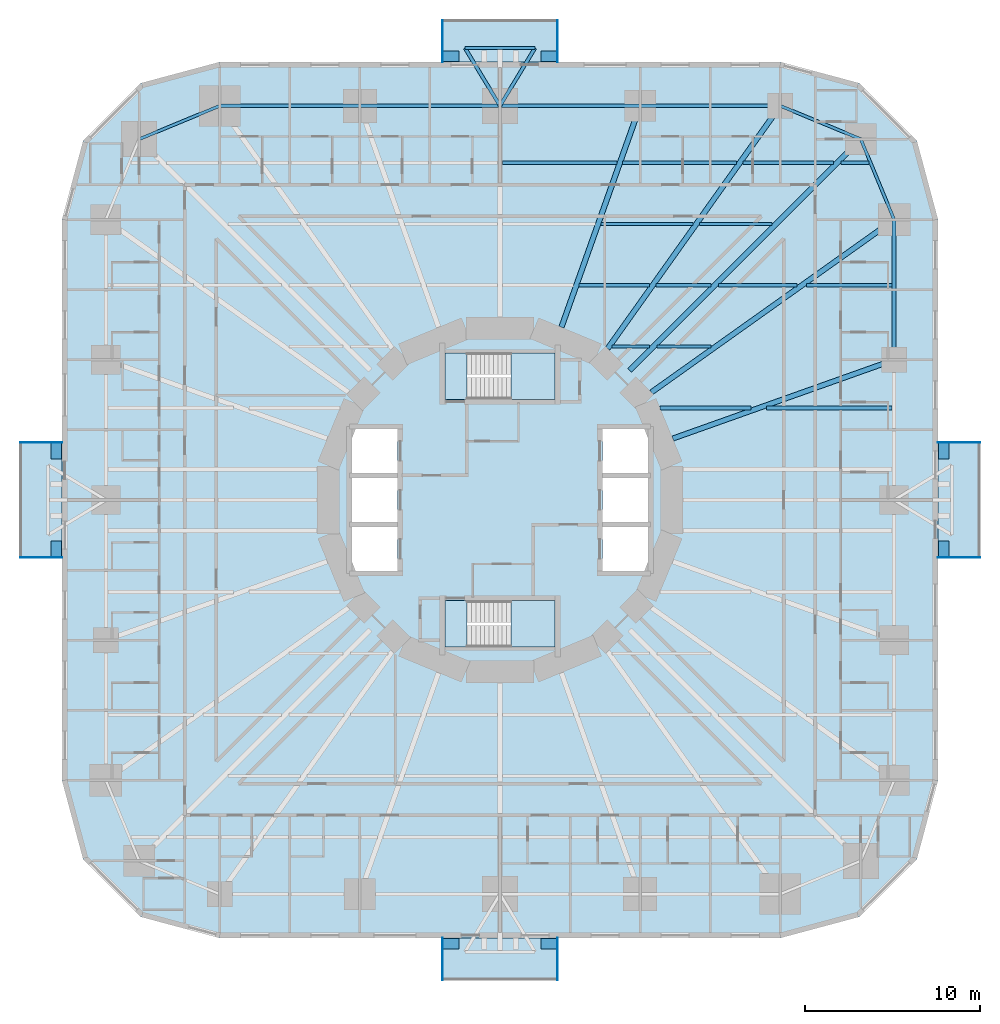
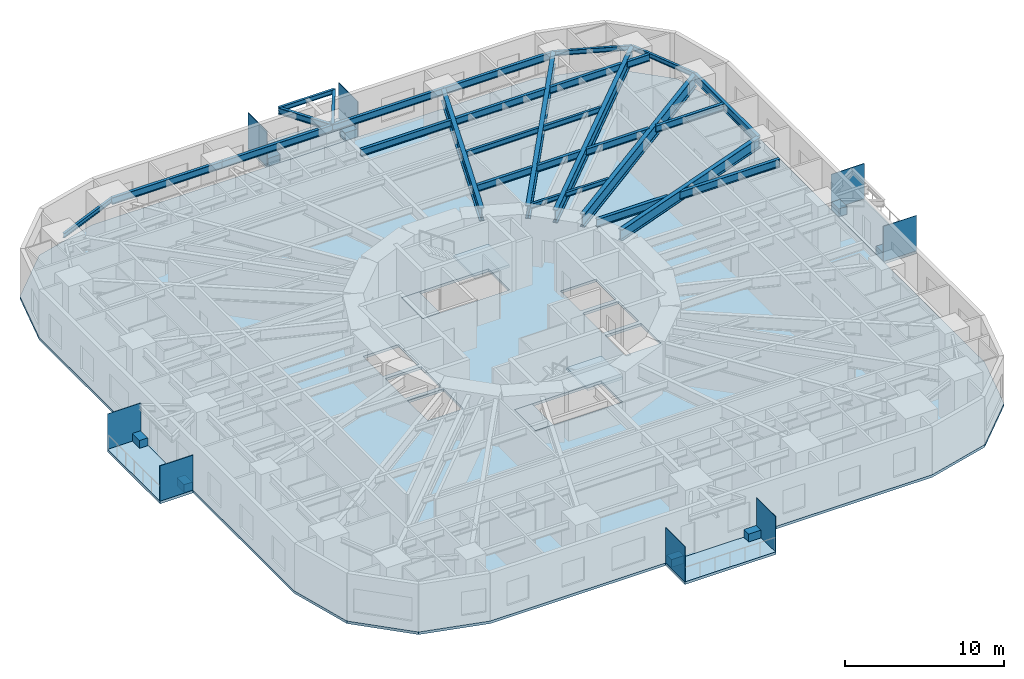
# One storey, part 3 of 14: 30 beams, 16 plates, 9 slabs, 2 elements without a shape of their own.
"""IFC4 building model written with IfcOpenShell, lengths in metres."""

from ifc_helpers import new_model, si_unit, direction, frame, origin, origin_2d, place, context, subcontext, project, spatial, polyline, rectangle, i_section, outline, extrude, material, layer, layer_set, material_profile, profile_set, type_object, element, aggregate, save


model = new_model("IFC4")

# Units and contexts
model_context = context("Model", 3, precision=1e-05, world=origin(), true_north=direction((0.0, 1.0)))
body_context = subcontext(model_context, "Body", "Model", "MODEL_VIEW")
ifc_project = project(units=[si_unit("LENGTHUNIT", "METRE"), si_unit("AREAUNIT", "SQUARE_METRE"), si_unit("VOLUMEUNIT", "CUBIC_METRE"), si_unit("PLANEANGLEUNIT", "RADIAN"), si_unit("MASSUNIT", "GRAM", prefix="KILO")], contexts=[model_context])

# Site, building, storey
site_placement = place(None, origin())
site = spatial("IfcSite", under=ifc_project, at=site_placement, CompositionType="ELEMENT")
building_placement = place(site_placement, origin())
building = spatial("IfcBuilding", under=site, at=building_placement, Name="Nakasero Lantern House", CompositionType="ELEMENT")
storey_placement = place(building_placement, frame((0.0, 0.0, 23.699951171875)))
storey = spatial("IfcBuildingStorey", under=building, at=storey_placement, Name="L05", CompositionType="ELEMENT", Elevation=23.699951171875)

# Beams
ifc_material_1 = material(Name="Steel S355", Category="steel")
ifc_material_profile_1 = material_profile(ifc_material_1, i_section(OverallWidth=0.199462890625, OverallDepth=0.491943359375, WebThickness=0.01806640625, FlangeThickness=0.031982421875, FilletRadius=0.01025390625, at=origin_2d()), Name="UB 457x191x161")
ifc_profile_set_1 = profile_set([ifc_material_profile_1], Name="Steel S355")
beam_type_1 = type_object("IfcBeamType", Name="Balcony splay beam UB 457x191x161", PredefinedType="BEAM", material=ifc_profile_set_1)
for number, where, z_axis, x_axis, name in (
    (1, (0.0, 22.5, 3.404052734375), (-0.518296107317, 0.855201230787, 0.0), (-0.855201230787, -0.518296107317, 0.0), "Balcony splay beam L06 B1-C09A"),
    (2, (0.0, 22.5, 3.404052734375), (0.518296107317, 0.855201230787, 0.0), (-0.855201230787, 0.518296107317, 0.0), "Balcony splay beam L06 B1-C09B"),
):
    element("IfcBeam", number, at=place(storey_placement, frame(where, z_axis=z_axis, x_axis=x_axis)), inside=storey, type_object=beam_type_1, Name=name, PredefinedType="BEAM", context=body_context, shape_type="SweptSolid", body=[
        extrude(i_section(OverallWidth=0.199462890625, OverallDepth=0.491943359375, WebThickness=0.01806640625, FlangeThickness=0.031982421875, FilletRadius=0.01025390625, at=origin_2d()), origin(), (0.0, 0.0, 1.0), 3.85888671875),
    ])
ifc_material_2 = material(Name="Steel S355", Category="steel")
ifc_material_profile_2 = material_profile(ifc_material_2, i_section(OverallWidth=0.17138671875, OverallDepth=0.35498046875, WebThickness=0.00732421875, FlangeThickness=0.011474609375, FilletRadius=0.01025390625, at=origin_2d()), Name="UB 356x171x51")
ifc_profile_set_2 = profile_set([ifc_material_profile_2], Name="Steel S355")
beam_type_2 = type_object("IfcBeamType", Name="Balcony tie beam UB 356x171x51", PredefinedType="BEAM", material=ifc_profile_set_2)
beam_1_placement = place(storey_placement, frame((-2.0, 25.800048828125, 3.47265625), z_axis=(1.0, 0.0, 0.0), x_axis=(0.0, 1.0, 0.0)))
element("IfcBeam", 3, at=beam_1_placement, inside=storey, type_object=beam_type_2, Name="Balcony tie beam L06 B1-C09", PredefinedType="BEAM", context=body_context, shape_type="SweptSolid", body=[
    extrude(i_section(OverallWidth=0.17138671875, OverallDepth=0.35498046875, WebThickness=0.00732421875, FlangeThickness=0.011474609375, FilletRadius=0.01025390625, at=origin_2d()), origin(), (0.0, 0.0, 1.0), 4.0),
])
ifc_material_3 = material(Name="Steel S355", Category="steel")
ifc_material_profile_3 = material_profile(ifc_material_3, i_section(OverallWidth=0.17138671875, OverallDepth=0.35498046875, WebThickness=0.00732421875, FlangeThickness=0.011474609375, FilletRadius=0.01025390625, at=origin_2d()), Name="UB 356x171x51")
ifc_profile_set_3 = profile_set([ifc_material_profile_3], Name="Steel S355")
beam_type_3 = type_object("IfcBeamType", Name="Infill beam UB 356x171x51", PredefinedType="JOIST", material=ifc_profile_set_3)
beam_2_placement = place(storey_placement, frame((6.40625, 8.75, 3.47265625), z_axis=(1.0, 0.0, 0.0), x_axis=(0.0, 1.0, 0.0)))
element("IfcBeam", 4, at=beam_2_placement, inside=storey, type_object=beam_type_3, Name="Infill beam L06 10.3", PredefinedType="JOIST", context=body_context, shape_type="SweptSolid", body=[
    extrude(i_section(OverallWidth=0.17138671875, OverallDepth=0.35498046875, WebThickness=0.00732421875, FlangeThickness=0.011474609375, FilletRadius=0.01025390625, at=origin_2d()), origin(), (0.0, 0.0, 1.0), 2.131591796875),
])
beam_3_placement = place(storey_placement, frame((8.962158203125, 8.75, 3.47265625), z_axis=(1.0, 0.0, 0.0), x_axis=(0.0, 1.0, 0.0)))
element("IfcBeam", 5, at=beam_3_placement, inside=storey, type_object=beam_type_3, Name="Infill beam L06 10.4", PredefinedType="JOIST", context=body_context, shape_type="SweptSolid", body=[
    extrude(i_section(OverallWidth=0.17138671875, OverallDepth=0.35498046875, WebThickness=0.00732421875, FlangeThickness=0.011474609375, FilletRadius=0.01025390625, at=origin_2d()), origin(), (0.0, 0.0, 1.0), 3.083740234375),
])
ifc_material_4 = material(Name="Steel S355", Category="steel")
ifc_material_profile_4 = material_profile(ifc_material_4, i_section(OverallWidth=0.177978515625, OverallDepth=0.406494140625, WebThickness=0.0078125, FlangeThickness=0.0126953125, FilletRadius=0.01025390625, at=origin_2d()), Name="UB 406x178x60")
ifc_profile_set_4 = profile_set([ifc_material_profile_4], Name="Steel S355")
beam_type_4 = type_object("IfcBeamType", Name="Infill beam UB 406x178x60", PredefinedType="JOIST", material=ifc_profile_set_4)
beam_4_placement = place(storey_placement, frame((5.75927734375, 15.75, 3.44677734375), z_axis=(1.0, 0.0, 0.0), x_axis=(0.0, 1.0, 0.0)))
element("IfcBeam", 6, at=beam_4_placement, inside=storey, type_object=beam_type_4, Name="Infill beam L06 12.5", PredefinedType="JOIST", context=body_context, shape_type="SweptSolid", body=[
    extrude(i_section(OverallWidth=0.177978515625, OverallDepth=0.406494140625, WebThickness=0.0078125, FlangeThickness=0.0126953125, FilletRadius=0.01025390625, at=origin_2d()), origin(), (0.0, 0.0, 1.0), 5.256591796875),
])
beam_5_placement = place(storey_placement, frame((11.384033203125, 15.75, 3.44677734375), z_axis=(1.0, 0.0, 0.0), x_axis=(0.0, 1.0, 0.0)))
element("IfcBeam", 7, at=beam_5_placement, inside=storey, type_object=beam_type_4, Name="Infill beam L06 12.6", PredefinedType="JOIST", context=body_context, shape_type="SweptSolid", body=[
    extrude(i_section(OverallWidth=0.177978515625, OverallDepth=0.406494140625, WebThickness=0.0078125, FlangeThickness=0.0126953125, FilletRadius=0.01025390625, at=origin_2d()), origin(), (0.0, 0.0, 1.0), 4.15380859375),
])
ifc_material_5 = material(Name="Steel S355", Category="steel")
ifc_material_profile_5 = material_profile(ifc_material_5, i_section(OverallWidth=0.208740234375, OverallDepth=0.5283203125, WebThickness=0.009521484375, FlangeThickness=0.01318359375, FilletRadius=0.0126953125, at=origin_2d()), Name="UB 533x210x82")
ifc_profile_set_5 = profile_set([ifc_material_profile_5], Name="Steel S355")
beam_type_5 = type_object("IfcBeamType", Name="Infill beam UB 533x210x82", PredefinedType="JOIST", material=ifc_profile_set_5)
beam_6_placement = place(storey_placement, frame((4.5146484375, 12.25, 3.385986328125), z_axis=(1.0, 0.0, 0.0), x_axis=(0.0, 1.0, 0.0)))
element("IfcBeam", 8, at=beam_6_placement, inside=storey, type_object=beam_type_5, Name="Infill beam L06 11.7", PredefinedType="JOIST", context=body_context, shape_type="SweptSolid", body=[
    extrude(i_section(OverallWidth=0.208740234375, OverallDepth=0.5283203125, WebThickness=0.009521484375, FlangeThickness=0.01318359375, FilletRadius=0.0126953125, at=origin_2d()), origin(), (0.0, 0.0, 1.0), 4.012451171875),
])
beam_7_placement = place(storey_placement, frame((8.895263671875, 12.25, 3.385986328125), z_axis=(1.0, 0.0, 0.0), x_axis=(0.0, 1.0, 0.0)))
element("IfcBeam", 9, at=beam_7_placement, inside=storey, type_object=beam_type_5, Name="Infill beam L06 11.8", PredefinedType="JOIST", context=body_context, shape_type="SweptSolid", body=[
    extrude(i_section(OverallWidth=0.208740234375, OverallDepth=0.5283203125, WebThickness=0.009521484375, FlangeThickness=0.01318359375, FilletRadius=0.0126953125, at=origin_2d()), origin(), (0.0, 0.0, 1.0), 3.142578125),
])
beam_8_placement = place(storey_placement, frame((12.462158203125, 12.25, 3.385986328125), z_axis=(1.0, 0.0, 0.0), x_axis=(0.0, 1.0, 0.0)))
element("IfcBeam", 10, at=beam_8_placement, inside=storey, type_object=beam_type_5, Name="Infill beam L06 11.9", PredefinedType="JOIST", context=body_context, shape_type="SweptSolid", body=[
    extrude(i_section(OverallWidth=0.208740234375, OverallDepth=0.5283203125, WebThickness=0.009521484375, FlangeThickness=0.01318359375, FilletRadius=0.0126953125, at=origin_2d()), origin(), (0.0, 0.0, 1.0), 4.505615234375),
])
beam_9_placement = place(storey_placement, frame((17.4853515625, 12.25, 3.385986328125), z_axis=(1.0, 0.0, 0.0), x_axis=(0.0, 1.0, 0.0)))
element("IfcBeam", 11, at=beam_9_placement, inside=storey, type_object=beam_type_5, Name="Infill beam L06 11.10", PredefinedType="JOIST", context=body_context, shape_type="SweptSolid", body=[
    extrude(i_section(OverallWidth=0.208740234375, OverallDepth=0.5283203125, WebThickness=0.009521484375, FlangeThickness=0.01318359375, FilletRadius=0.0126953125, at=origin_2d()), origin(), (0.0, 0.0, 1.0), 4.900146484375),
])
beam_10_placement = place(storey_placement, frame((0.146240234375, 19.25, 3.385986328125), z_axis=(1.0, 0.0, 0.0), x_axis=(0.0, 1.0, 0.0)))
element("IfcBeam", 12, at=beam_10_placement, inside=storey, type_object=beam_type_5, Name="Infill beam L06 13.5", PredefinedType="JOIST", context=body_context, shape_type="SweptSolid", body=[
    extrude(i_section(OverallWidth=0.208740234375, OverallDepth=0.5283203125, WebThickness=0.009521484375, FlangeThickness=0.01318359375, FilletRadius=0.0126953125, at=origin_2d()), origin(), (0.0, 0.0, 1.0), 6.5390625),
])
beam_11_placement = place(storey_placement, frame((7.003662109375, 19.25, 3.385986328125), z_axis=(1.0, 0.0, 0.0), x_axis=(0.0, 1.0, 0.0)))
element("IfcBeam", 13, at=beam_11_placement, inside=storey, type_object=beam_type_5, Name="Infill beam L06 13.6", PredefinedType="JOIST", context=body_context, shape_type="SweptSolid", body=[
    extrude(i_section(OverallWidth=0.208740234375, OverallDepth=0.5283203125, WebThickness=0.009521484375, FlangeThickness=0.01318359375, FilletRadius=0.0126953125, at=origin_2d()), origin(), (0.0, 0.0, 1.0), 6.501220703125),
])
beam_12_placement = place(storey_placement, frame((13.873046875, 19.25, 3.385986328125), z_axis=(1.0, 0.0, 0.0), x_axis=(0.0, 1.0, 0.0)))
element("IfcBeam", 14, at=beam_12_placement, inside=storey, type_object=beam_type_5, Name="Infill beam L06 13.7", PredefinedType="JOIST", context=body_context, shape_type="SweptSolid", body=[
    extrude(i_section(OverallWidth=0.208740234375, OverallDepth=0.5283203125, WebThickness=0.009521484375, FlangeThickness=0.01318359375, FilletRadius=0.0126953125, at=origin_2d()), origin(), (0.0, 0.0, 1.0), 5.164794921875),
])
beam_13_placement = place(storey_placement, frame((19.462158203125, 19.25, 3.385986328125), z_axis=(1.0, 0.0, 0.0), x_axis=(0.0, 1.0, 0.0)))
element("IfcBeam", 15, at=beam_13_placement, inside=storey, type_object=beam_type_5, Name="Infill beam L06 13.8", PredefinedType="JOIST", context=body_context, shape_type="SweptSolid", body=[
    extrude(i_section(OverallWidth=0.208740234375, OverallDepth=0.5283203125, WebThickness=0.009521484375, FlangeThickness=0.01318359375, FilletRadius=0.0126953125, at=origin_2d()), origin(), (0.0, 0.0, 1.0), 1.598876953125),
])
ifc_material_6 = material(Name="Steel S355", Category="steel")
ifc_material_profile_6 = material_profile(ifc_material_6, i_section(OverallWidth=0.2275390625, OverallDepth=0.6025390625, WebThickness=0.010498046875, FlangeThickness=0.014892578125, FilletRadius=0.0126953125, at=origin_2d()), Name="UB 610x229x101")
ifc_profile_set_6 = profile_set([ifc_material_profile_6], Name="Steel S355")
beam_type_6 = type_object("IfcBeamType", Name="Infill beam UB 610x229x101", PredefinedType="JOIST", material=ifc_profile_set_6)
beam_14_placement = place(storey_placement, frame((9.144775390625, 5.25, 3.3486328125), z_axis=(1.0, 0.0, 0.0), x_axis=(0.0, 1.0, 0.0)))
element("IfcBeam", 16, at=beam_14_placement, inside=storey, type_object=beam_type_6, Name="Infill beam L06 09.3", PredefinedType="JOIST", context=body_context, shape_type="SweptSolid", body=[
    extrude(i_section(OverallWidth=0.2275390625, OverallDepth=0.6025390625, WebThickness=0.010498046875, FlangeThickness=0.014892578125, FilletRadius=0.0126953125, at=origin_2d()), origin(), (0.0, 0.0, 1.0), 5.184326171875),
])
beam_15_placement = place(storey_placement, frame((15.2021484375, 5.25, 3.3486328125), z_axis=(1.0, 0.0, 0.0), x_axis=(0.0, 1.0, 0.0)))
element("IfcBeam", 17, at=beam_15_placement, inside=storey, type_object=beam_type_6, Name="Infill beam L06 09.4", PredefinedType="JOIST", context=body_context, shape_type="SweptSolid", body=[
    extrude(i_section(OverallWidth=0.2275390625, OverallDepth=0.6025390625, WebThickness=0.010498046875, FlangeThickness=0.014892578125, FilletRadius=0.0126953125, at=origin_2d()), origin(), (0.0, 0.0, 1.0), 7.183349609375),
])
ifc_material_7 = material(Name="Steel S355", Category="steel")
ifc_material_profile_7 = material_profile(ifc_material_7, i_section(OverallWidth=0.300048828125, OverallDepth=0.97021484375, WebThickness=0.01611328125, FlangeThickness=0.02099609375, FilletRadius=0.030029296875, at=origin_2d()), Name="UB 1016x305x222")
ifc_profile_set_7 = profile_set([ifc_material_profile_7], Name="Steel S355")
beam_type_7 = type_object("IfcBeamType", Name="Primary beam UB 1016x305x222, span 12 to 15 m", PredefinedType="BEAM", material=ifc_profile_set_7)
beam_16_placement = place(storey_placement, frame((8.0, 22.5, 3.164794921875), z_axis=(-0.335010745293, -0.942214307118, 0.0), x_axis=(0.942214307118, -0.335010745293, 0.0)))
element("IfcBeam", 18, at=beam_16_placement, inside=storey, type_object=beam_type_7, Name="Primary beam L06 B1-C08", PredefinedType="BEAM", context=body_context, shape_type="SweptSolid", body=[
    extrude(i_section(OverallWidth=0.300048828125, OverallDepth=0.97021484375, WebThickness=0.01611328125, FlangeThickness=0.02099609375, FilletRadius=0.030029296875, at=origin_2d()), origin(), (0.0, 0.0, 1.0), 13.408447265625),
])
ifc_material_8 = material(Name="Steel S355", Category="steel")
ifc_material_profile_8 = material_profile(ifc_material_8, i_section(OverallWidth=0.300048828125, OverallDepth=0.989990234375, WebThickness=0.0166015625, FlangeThickness=0.031005859375, FilletRadius=0.030029296875, at=origin_2d()), Name="UB 1016x305x272")
ifc_profile_set_8 = profile_set([ifc_material_profile_8], Name="Steel S355")
beam_type_8 = type_object("IfcBeamType", Name="Primary beam UB 1016x305x272, span over 15 m", PredefinedType="BEAM", material=ifc_profile_set_8)
beam_17_placement = place(storey_placement, frame((22.5, 16.0, 3.155029296875), z_axis=(-0.814952159915, -0.579528236629, 0.0), x_axis=(0.579528236629, -0.814952159915, 0.0)))
element("IfcBeam", 19, at=beam_17_placement, inside=storey, type_object=beam_type_8, Name="Primary beam L06 B1-C05", PredefinedType="BEAM", context=body_context, shape_type="SweptSolid", body=[
    extrude(i_section(OverallWidth=0.300048828125, OverallDepth=0.989990234375, WebThickness=0.0166015625, FlangeThickness=0.031005859375, FilletRadius=0.030029296875, at=origin_2d()), origin(), (0.0, 0.0, 1.0), 17.003173828125),
])
beam_18_placement = place(storey_placement, frame((20.59619140625, 20.59619140625, 3.155029296875), z_axis=(-0.707106781187, -0.707106781187, 0.0), x_axis=(0.707106781187, -0.707106781187, 0.0)))
element("IfcBeam", 20, at=beam_18_placement, inside=storey, type_object=beam_type_8, Name="Primary beam L06 B1-C06", PredefinedType="BEAM", context=body_context, shape_type="SweptSolid", body=[
    extrude(i_section(OverallWidth=0.300048828125, OverallDepth=0.989990234375, WebThickness=0.0166015625, FlangeThickness=0.031005859375, FilletRadius=0.030029296875, at=origin_2d()), origin(), (0.0, 0.0, 1.0), 18.669677734375),
])
ifc_material_9 = material(Name="Steel S355", Category="steel")
ifc_material_profile_9 = material_profile(ifc_material_9, i_section(OverallWidth=0.300048828125, OverallDepth=1.0, WebThickness=0.01904296875, FlangeThickness=0.035888671875, FilletRadius=0.030029296875, at=origin_2d()), Name="UB 1016x305x314")
ifc_profile_set_9 = profile_set([ifc_material_profile_9], Name="Steel S355")
beam_type_9 = type_object("IfcBeamType", Name="Primary beam UB 1016x305x314, span over 15 m", PredefinedType="BEAM", material=ifc_profile_set_9)
beam_19_placement = place(storey_placement, frame((16.0, 22.5, 3.150146484375), z_axis=(-0.579528236629, -0.814952159915, 0.0), x_axis=(0.814952159915, -0.579528236629, 0.0)))
element("IfcBeam", 21, at=beam_19_placement, inside=storey, type_object=beam_type_9, Name="Primary beam L06 B1-C07", PredefinedType="BEAM", context=body_context, shape_type="SweptSolid", body=[
    extrude(i_section(OverallWidth=0.300048828125, OverallDepth=1.0, WebThickness=0.01904296875, FlangeThickness=0.035888671875, FilletRadius=0.030029296875, at=origin_2d()), origin(), (0.0, 0.0, 1.0), 17.003173828125),
])
ifc_material_10 = material(Name="Steel S355", Category="steel")
ifc_material_profile_10 = material_profile(ifc_material_10, i_section(OverallWidth=0.29248046875, OverallDepth=0.8408203125, WebThickness=0.0146484375, FlangeThickness=0.02685546875, FilletRadius=0.017822265625, at=origin_2d()), Name="UB 838x292x194")
ifc_profile_set_10 = profile_set([ifc_material_profile_10], Name="Steel S355")
beam_type_10 = type_object("IfcBeamType", Name="Primary beam UB 838x292x194, span 12 to 15 m", PredefinedType="BEAM", material=ifc_profile_set_10)
beam_20_placement = place(storey_placement, frame((22.5, 8.0, 3.229736328125), z_axis=(-0.942214307118, -0.335010745293, 0.0), x_axis=(0.335010745293, -0.942214307118, 0.0)))
element("IfcBeam", 22, at=beam_20_placement, inside=storey, type_object=beam_type_10, Name="Primary beam L06 B1-C04", PredefinedType="BEAM", context=body_context, shape_type="SweptSolid", body=[
    extrude(i_section(OverallWidth=0.29248046875, OverallDepth=0.8408203125, WebThickness=0.0146484375, FlangeThickness=0.02685546875, FilletRadius=0.017822265625, at=origin_2d()), origin(), (0.0, 0.0, 1.0), 13.408447265625),
])
ifc_material_11 = material(Name="Steel S355", Category="steel")
ifc_material_profile_11 = material_profile(ifc_material_11, i_section(OverallWidth=0.17138671875, OverallDepth=0.35498046875, WebThickness=0.00732421875, FlangeThickness=0.011474609375, FilletRadius=0.01025390625, at=origin_2d()), Name="UB 356x171x51")
ifc_profile_set_11 = profile_set([ifc_material_profile_11], Name="Steel S355")
beam_type_11 = type_object("IfcBeamType", Name="Ring beam UB 356x171x51", PredefinedType="BEAM", material=ifc_profile_set_11)
for number, where, z_axis, x_axis, name in (
    (23, (22.5, 16.0, 3.47265625), (-0.382684080569, 0.923879264016, 0.0), (-0.923879264016, -0.382684080569, 0.0), "Ring beam L06 B1-C05"),
    (24, (20.59619140625, 20.59619140625, 3.47265625), (-0.923879264016, 0.382684080569, 0.0), (-0.382684080569, -0.923879264016, 0.0), "Ring beam L06 B1-C06"),
    (25, (-16.0, 22.5, 3.47265625), (-0.923879264016, -0.382684080569, 0.0), (0.382684080569, -0.923879264016, 0.0), "Ring beam L06 B1-C11"),
):
    element("IfcBeam", number, at=place(storey_placement, frame(where, z_axis=z_axis, x_axis=x_axis)), inside=storey, type_object=beam_type_11, Name=name, PredefinedType="BEAM", context=body_context, shape_type="SweptSolid", body=[
        extrude(i_section(OverallWidth=0.17138671875, OverallDepth=0.35498046875, WebThickness=0.00732421875, FlangeThickness=0.011474609375, FilletRadius=0.01025390625, at=origin_2d()), origin(), (0.0, 0.0, 1.0), 4.974853515625),
    ])
ifc_material_12 = material(Name="Steel S355", Category="steel")
ifc_material_profile_12 = material_profile(ifc_material_12, i_section(OverallWidth=0.2099609375, OverallDepth=0.53662109375, WebThickness=0.0107421875, FlangeThickness=0.017333984375, FilletRadius=0.0126953125, at=origin_2d()), Name="UB 533x210x101")
ifc_profile_set_12 = profile_set([ifc_material_profile_12], Name="Steel S355")
beam_type_12 = type_object("IfcBeamType", Name="Ring beam UB 533x210x101", PredefinedType="BEAM", material=ifc_profile_set_12)
for number, where, z_axis, x_axis, name in (
    (26, (16.0, 22.5, 3.381591796875), (-1.0, 0.0, 0.0), (0.0, -1.0, 0.0), "Ring beam L06 B1-C07"),
    (27, (8.0, 22.5, 3.381591796875), (-1.0, 0.0, 0.0), (0.0, -1.0, 0.0), "Ring beam L06 B1-C08"),
    (28, (0.0, 22.5, 3.381591796875), (-1.0, 0.0, 0.0), (0.0, -1.0, 0.0), "Ring beam L06 B1-C09"),
    (29, (-8.0, 22.5, 3.381591796875), (-1.0, 0.0, 0.0), (0.0, -1.0, 0.0), "Ring beam L06 B1-C10"),
):
    element("IfcBeam", number, at=place(storey_placement, frame(where, z_axis=z_axis, x_axis=x_axis)), inside=storey, type_object=beam_type_12, Name=name, PredefinedType="BEAM", context=body_context, shape_type="SweptSolid", body=[
        extrude(i_section(OverallWidth=0.2099609375, OverallDepth=0.53662109375, WebThickness=0.0107421875, FlangeThickness=0.017333984375, FilletRadius=0.0126953125, at=origin_2d()), origin(), (0.0, 0.0, 1.0), 8.0),
    ])
ifc_material_13 = material(Name="Steel S355", Category="steel")
ifc_material_profile_13 = material_profile(ifc_material_13, i_section(OverallWidth=0.22900390625, OverallDepth=0.6123046875, WebThickness=0.011962890625, FlangeThickness=0.01953125, FilletRadius=0.0126953125, at=origin_2d()), Name="UB 610x229x125")
ifc_profile_set_13 = profile_set([ifc_material_profile_13], Name="Steel S355")
beam_type_13 = type_object("IfcBeamType", Name="Ring beam UB 610x229x125", PredefinedType="BEAM", material=ifc_profile_set_13)
beam_21_placement = place(storey_placement, frame((22.5, 8.0, 3.343994140625), z_axis=(0.0, 1.0, 0.0), x_axis=(-1.0, 0.0, 0.0)))
element("IfcBeam", 30, at=beam_21_placement, inside=storey, type_object=beam_type_13, Name="Ring beam L06 B1-C04", PredefinedType="BEAM", context=body_context, shape_type="SweptSolid", body=[
    extrude(i_section(OverallWidth=0.22900390625, OverallDepth=0.6123046875, WebThickness=0.011962890625, FlangeThickness=0.01953125, FilletRadius=0.0126953125, at=origin_2d()), origin(), (0.0, 0.0, 1.0), 8.0),
])

# Plates
ifc_material_14 = material(Name="Aluminium 6063-T6", Category="aluminium")
ifc_layer_1 = layer(ifc_material_14, 0.60009765625)
ifc_layer_set_1 = layer_set([ifc_layer_1], Name="Balcony planter 600x900")
plate_type_1 = type_object("IfcPlateType", Name="Balcony planter 600x900", PredefinedType="USERDEFINED", material=ifc_layer_set_1)
for number, where, z_axis, x_axis, name in (
    (31, (25.320068359375, -2.7900390625, 0.0), (0.0, 0.0, 1.0), (1.0, 0.0, 0.0), "Balcony PLANTER L05 BAL0A"),
    (32, (25.320068359375, 2.7900390625, 0.0), (0.0, 0.0, 1.0), (1.0, 0.0, 0.0), "Balcony PLANTER L05 BAL0B"),
    (33, (2.7900390625, 25.320068359375, 0.0), (0.0, 0.0, 1.0), (0.0, 1.0, 0.0), "Balcony PLANTER L05 BAL1A"),
    (34, (-2.7900390625, 25.320068359375, 0.0), (0.0, 0.0, 1.0), (0.0, 1.0, 0.0), "Balcony PLANTER L05 BAL1B"),
    (35, (-25.320068359375, 2.7900390625, 0.0), (0.0, 0.0, 1.0), (-1.0, 0.0, 0.0), "Balcony PLANTER L05 BAL2A"),
    (36, (-25.320068359375, -2.7900390625, 0.0), (0.0, 0.0, 1.0), (-1.0, 0.0, 0.0), "Balcony PLANTER L05 BAL2B"),
    (37, (-2.7900390625, -25.320068359375, 0.0), (0.0, 0.0, 1.0), (0.0, -1.0, 0.0), "Balcony PLANTER L05 BAL3A"),
    (38, (2.7900390625, -25.320068359375, 0.0), (0.0, 0.0, 1.0), (0.0, -1.0, 0.0), "Balcony PLANTER L05 BAL3B"),
):
    element("IfcPlate", number, at=place(storey_placement, frame(where, z_axis=z_axis, x_axis=x_axis)), inside=storey, type_object=plate_type_1, Name=name, ObjectType="PLANTER", PredefinedType="USERDEFINED", context=body_context, shape_type="SweptSolid", body=[
        extrude(rectangle(XDim=0.60009765625, YDim=0.89990234375, at=origin_2d()), origin(), (0.0, 0.0, 1.0), 0.60009765625),
    ])
ifc_material_15 = material(Name="Aluminium 6063-T6", Category="aluminium")
ifc_layer_2 = layer(ifc_material_15, 0.0400390625)
ifc_layer_set_2 = layer_set([ifc_layer_2], Name="Balcony screen 2400x2700")
plate_type_2 = type_object("IfcPlateType", Name="Balcony screen 2400x2700", PredefinedType="SHEET", material=ifc_layer_set_2)
for number, where, z_axis, x_axis, name in (
    (39, (26.199951171875, -3.280029296875, 0.0), (0.0, 0.0, 1.0), (1.0, 0.0, 0.0), "Balcony SCREEN L05 BAL0A"),
    (40, (26.199951171875, 3.280029296875, 0.0), (0.0, 0.0, 1.0), (1.0, 0.0, 0.0), "Balcony SCREEN L05 BAL0B"),
    (41, (3.280029296875, 26.199951171875, 0.0), (0.0, 0.0, 1.0), (0.0, 1.0, 0.0), "Balcony SCREEN L05 BAL1A"),
    (42, (-3.280029296875, 26.199951171875, 0.0), (0.0, 0.0, 1.0), (0.0, 1.0, 0.0), "Balcony SCREEN L05 BAL1B"),
    (43, (-26.199951171875, 3.280029296875, 0.0), (0.0, 0.0, 1.0), (-1.0, 0.0, 0.0), "Balcony SCREEN L05 BAL2A"),
    (44, (-26.199951171875, -3.280029296875, 0.0), (0.0, 0.0, 1.0), (-1.0, 0.0, 0.0), "Balcony SCREEN L05 BAL2B"),
    (45, (-3.280029296875, -26.199951171875, 0.0), (0.0, 0.0, 1.0), (0.0, -1.0, 0.0), "Balcony SCREEN L05 BAL3A"),
    (46, (3.280029296875, -26.199951171875, 0.0), (0.0, 0.0, 1.0), (0.0, -1.0, 0.0), "Balcony SCREEN L05 BAL3B"),
):
    element("IfcPlate", number, at=place(storey_placement, frame(where, z_axis=z_axis, x_axis=x_axis)), inside=storey, type_object=plate_type_2, Name=name, PredefinedType="SHEET", context=body_context, shape_type="SweptSolid", body=[
        extrude(rectangle(XDim=2.39990234375, YDim=0.0400390625, at=origin_2d()), origin(), (0.0, 0.0, 1.0), 2.699951171875),
    ])

# Slabs
ifc_material_16 = material(Name="Concrete C35/45", Category="concrete")
ifc_layer_3 = layer(ifc_material_16, 0.199951171875)
ifc_layer_set_3 = layer_set([ifc_layer_3], Name="Balcony slab 200")
slab_type_1 = type_object("IfcSlabType", Name="Balcony slab 200", PredefinedType="USERDEFINED", material=ifc_layer_set_3)
slab_1_placement = place(storey_placement, frame((0.0, 0.0, -0.199951171875)))
element("IfcSlab", 47, at=slab_1_placement, inside=storey, type_object=slab_type_1, Name="Balcony L05 BAL0", ObjectType="BALCONY", PredefinedType="USERDEFINED", context=body_context, shape_type="SweptSolid", body=[
    extrude(outline(polyline([(25.0, -3.300048828125), (27.39990234375, -3.300048828125), (27.39990234375, 3.300048828125), (25.0, 3.300048828125), (25.0, -3.300048828125)])), origin(), (0.0, 0.0, 1.0), 0.199951171875),
])
slab_2_placement = place(storey_placement, frame((0.0, 0.0, -0.199951171875)))
element("IfcSlab", 48, at=slab_2_placement, inside=storey, type_object=slab_type_1, Name="Balcony L05 BAL1", ObjectType="BALCONY", PredefinedType="USERDEFINED", context=body_context, shape_type="SweptSolid", body=[
    extrude(outline(polyline([(3.300048828125, 25.0), (3.300048828125, 27.39990234375), (-3.300048828125, 27.39990234375), (-3.300048828125, 25.0), (3.300048828125, 25.0)])), origin(), (0.0, 0.0, 1.0), 0.199951171875),
])
slab_3_placement = place(storey_placement, frame((0.0, 0.0, -0.199951171875)))
element("IfcSlab", 49, at=slab_3_placement, inside=storey, type_object=slab_type_1, Name="Balcony L05 BAL2", ObjectType="BALCONY", PredefinedType="USERDEFINED", context=body_context, shape_type="SweptSolid", body=[
    extrude(outline(polyline([(-25.0, 3.300048828125), (-27.39990234375, 3.300048828125), (-27.39990234375, -3.300048828125), (-25.0, -3.300048828125), (-25.0, 3.300048828125)])), origin(), (0.0, 0.0, 1.0), 0.199951171875),
])
slab_4_placement = place(storey_placement, frame((0.0, 0.0, -0.199951171875)))
element("IfcSlab", 50, at=slab_4_placement, inside=storey, type_object=slab_type_1, Name="Balcony L05 BAL3", ObjectType="BALCONY", PredefinedType="USERDEFINED", context=body_context, shape_type="SweptSolid", body=[
    extrude(outline(polyline([(-3.300048828125, -25.0), (-3.300048828125, -27.39990234375), (3.300048828125, -27.39990234375), (3.300048828125, -25.0), (-3.300048828125, -25.0)])), origin(), (0.0, 0.0, 1.0), 0.199951171875),
])
ifc_material_17 = material(Name="Concrete C35/45", Category="concrete")
ifc_layer_4 = layer(ifc_material_17, 0.199951171875)
ifc_layer_set_4 = layer_set([ifc_layer_4], Name="Composite floor slab 200")
slab_type_2 = type_object("IfcSlabType", Name="Composite floor slab 200", PredefinedType="FLOOR", material=ifc_layer_set_4)
slab_5_placement = place(storey_placement, frame((0.0, 0.0, -0.199951171875)))
element("IfcSlab", 51, at=slab_5_placement, inside=storey, type_object=slab_type_2, Name="Floor slab L05", PredefinedType="FLOOR", context=body_context, shape_type="SweptSolid", body=[
    extrude(outline(polyline([(25.0, 16.0), (23.794189453125, 20.5), (20.5, 23.794189453125), (16.0, 25.0), (-16.0, 25.0), (-20.5, 23.794189453125), (-23.794189453125, 20.5), (-25.0, 16.0), (-25.0, -16.0), (-23.794189453125, -20.5), (-20.5, -23.794189453125), (-16.0, -25.0), (16.0, -25.0), (20.5, -23.794189453125), (23.794189453125, -20.5), (25.0, -16.0), (25.0, 16.0)]), holes=[polyline([(-8.449951171875, -4.050048828125), (-5.85009765625, -4.050048828125), (-5.85009765625, -1.550048828125), (-8.449951171875, -1.550048828125), (-8.449951171875, -4.050048828125)]), polyline([(-8.449951171875, -1.25), (-5.85009765625, -1.25), (-5.85009765625, 1.25), (-8.449951171875, 1.25), (-8.449951171875, -1.25)]), polyline([(-8.449951171875, 1.550048828125), (-5.85009765625, 1.550048828125), (-5.85009765625, 4.050048828125), (-8.449951171875, 4.050048828125), (-8.449951171875, 1.550048828125)]), polyline([(5.85009765625, -4.050048828125), (8.449951171875, -4.050048828125), (8.449951171875, -1.550048828125), (5.85009765625, -1.550048828125), (5.85009765625, -4.050048828125)]), polyline([(5.85009765625, -1.25), (8.449951171875, -1.25), (8.449951171875, 1.25), (5.85009765625, 1.25), (5.85009765625, -1.25)]), polyline([(5.85009765625, 1.550048828125), (8.449951171875, 1.550048828125), (8.449951171875, 4.050048828125), (5.85009765625, 4.050048828125), (5.85009765625, 1.550048828125)]), polyline([(-3.14990234375, 5.75), (3.14990234375, 5.75), (3.14990234375, 8.39990234375), (-3.14990234375, 8.39990234375), (-3.14990234375, 5.75)]), polyline([(-3.14990234375, -8.39990234375), (3.14990234375, -8.39990234375), (3.14990234375, -5.75), (-3.14990234375, -5.75), (-3.14990234375, -8.39990234375)])]), origin(), (0.0, 0.0, 1.0), 0.199951171875),
])

# Stair, slabs
ifc_material_18 = material(Name="Concrete C40/50", Category="concrete")
stair_type_1 = type_object("IfcStairType", Name="Escape stair ST1 22 risers", PredefinedType="HALF_TURN_STAIR", material=ifc_material_18)
stair_1_placement = place(storey_placement, origin())
stair_1 = element("IfcStair", 52, at=stair_1_placement, inside=storey, type_object=stair_type_1, Name="Escape stair ST1 L05", PredefinedType="HALF_TURN_STAIR")
ifc_material_19 = material(Name="Concrete C40/50", Category="concrete")
ifc_layer_5 = layer(ifc_material_19, 0.199951171875)
ifc_layer_set_5 = layer_set([ifc_layer_5], Name="Stair landing 200")
slab_type_3 = type_object("IfcSlabType", Name="Stair landing 200", PredefinedType="LANDING", material=ifc_layer_set_5)
slab_6_placement = place(storey_placement, frame((0.0, 0.0, -0.199951171875)))
slab_6 = element("IfcSlab", 53, at=slab_6_placement, type_object=slab_type_3, Name="ST1 landing 1", PredefinedType="LANDING", context=body_context, shape_type="SweptSolid", body=[
    extrude(outline(polyline([(-3.14990234375, 5.75), (-1.875, 5.75), (-1.875, 8.39990234375), (-3.14990234375, 8.39990234375), (-3.14990234375, 5.75)])), origin(), (0.0, 0.0, 1.0), 0.199951171875),
])
slab_7_placement = place(storey_placement, frame((0.0, 0.0, 1.72509765625)))
slab_7 = element("IfcSlab", 54, at=slab_7_placement, type_object=slab_type_3, Name="ST1 landing 2", PredefinedType="LANDING", context=body_context, shape_type="SweptSolid", body=[
    extrude(outline(polyline([(0.625, 5.75), (3.14990234375, 5.75), (3.14990234375, 8.39990234375), (0.625, 8.39990234375), (0.625, 5.75)])), origin(), (0.0, 0.0, 1.0), 0.199951171875),
])
aggregate(stair_1, [slab_6, slab_7])

ifc_material_20 = material(Name="Concrete C40/50", Category="concrete")
stair_type_2 = type_object("IfcStairType", Name="Escape stair ST2 22 risers", PredefinedType="HALF_TURN_STAIR", material=ifc_material_20)
stair_2_placement = place(storey_placement, origin())
stair_2 = element("IfcStair", 55, at=stair_2_placement, inside=storey, type_object=stair_type_2, Name="Escape stair ST2 L05", PredefinedType="HALF_TURN_STAIR")
slab_8_placement = place(storey_placement, frame((0.0, 0.0, -0.199951171875)))
slab_8 = element("IfcSlab", 56, at=slab_8_placement, type_object=slab_type_3, Name="ST2 landing 1", PredefinedType="LANDING", context=body_context, shape_type="SweptSolid", body=[
    extrude(outline(polyline([(-3.14990234375, -8.39990234375), (-1.875, -8.39990234375), (-1.875, -5.75), (-3.14990234375, -5.75), (-3.14990234375, -8.39990234375)])), origin(), (0.0, 0.0, 1.0), 0.199951171875),
])
slab_9_placement = place(storey_placement, frame((0.0, 0.0, 1.72509765625)))
slab_9 = element("IfcSlab", 57, at=slab_9_placement, type_object=slab_type_3, Name="ST2 landing 2", PredefinedType="LANDING", context=body_context, shape_type="SweptSolid", body=[
    extrude(outline(polyline([(0.625, -8.39990234375), (3.14990234375, -8.39990234375), (3.14990234375, -5.75), (0.625, -5.75), (0.625, -8.39990234375)])), origin(), (0.0, 0.0, 1.0), 0.199951171875),
])
aggregate(stair_2, [slab_8, slab_9])

save(model, "model.ifc")
